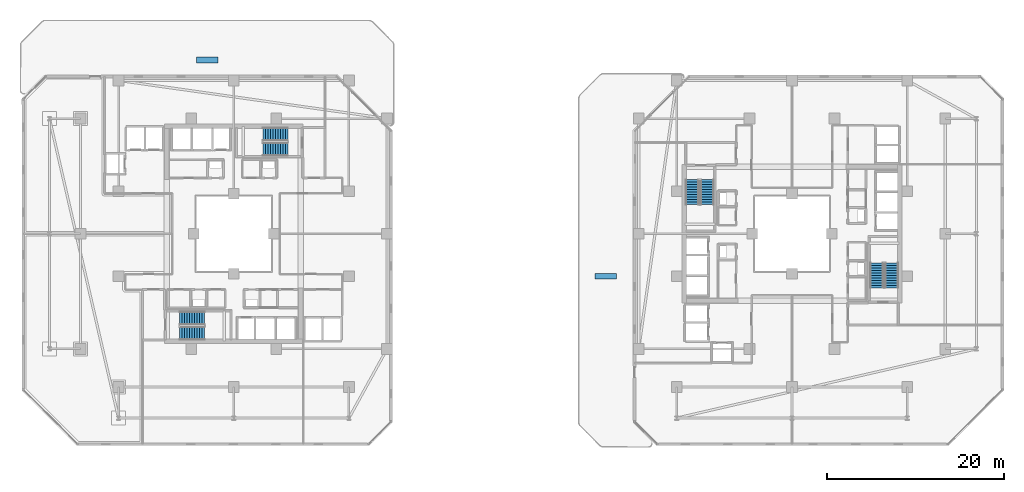
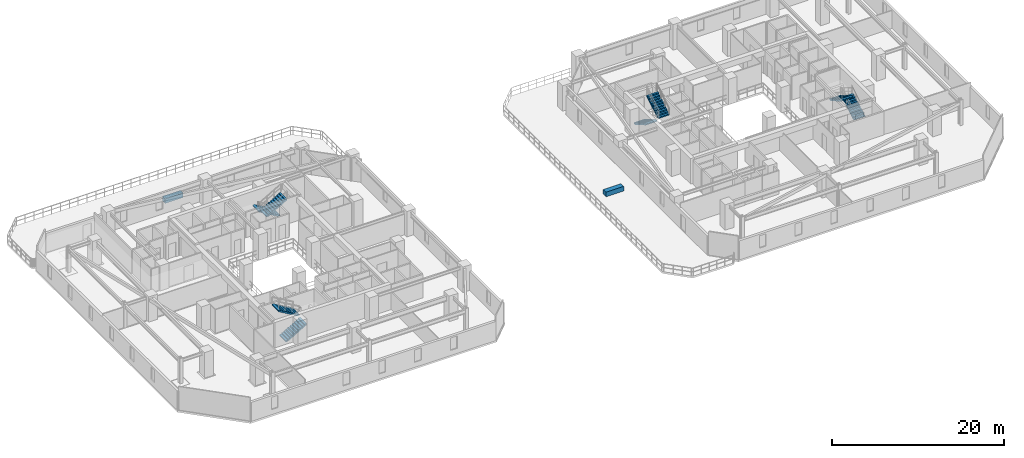
# One storey, part 26 of 31: 8 stair flights, 2 discrete accessories, 4 elements without a shape of their own.
"""IFC4 building model written with IfcOpenShell, lengths in metres."""

from ifc_helpers import new_model, si_unit, direction, frame, origin, origin_2d, place, context, subcontext, project, spatial, polyline, rectangle, outline, extrude, material, type_object, element, aggregate, save


model = new_model("IFC4")

# Units and contexts
model_context = context("Model", 3, precision=1e-05, world=origin(), true_north=direction((0.0, 1.0)))
body_context = subcontext(model_context, "Body", "Model", "MODEL_VIEW")
ifc_project = project(units=[si_unit("LENGTHUNIT", "METRE"), si_unit("AREAUNIT", "SQUARE_METRE"), si_unit("VOLUMEUNIT", "CUBIC_METRE"), si_unit("PLANEANGLEUNIT", "RADIAN"), si_unit("MASSUNIT", "GRAM", prefix="KILO")], contexts=[model_context])

# Site, building, storey
site_placement = place(None, origin())
site = spatial("IfcSite", under=ifc_project, at=site_placement, CompositionType="ELEMENT")
building_placement = place(site_placement, origin())
building = spatial("IfcBuilding", under=site, at=building_placement, Name="Thornwick Lancets Civic Towers", CompositionType="ELEMENT")
storey_placement = place(building_placement, frame((0.0, 0.0, 119.699951171875)))
storey = spatial("IfcBuildingStorey", under=building, at=storey_placement, Name="L31", CompositionType="ELEMENT", Elevation=119.699951171875)

# Stair, stair flights
ifc_material_1 = material(Name="Concrete C40/50", Category="concrete")
stair_type = type_object("IfcStairType", Name="STAIR_DL_3600", PredefinedType="HALF_TURN_STAIR", material=ifc_material_1)
stair_1_placement = place(storey_placement, origin())
stair_1 = element("IfcStair", 1, at=stair_1_placement, inside=storey, type_object=stair_type, Name="L31 Tower A South Exit Stair ST-A1", PredefinedType="HALF_TURN_STAIR")
stair_flight_type = type_object("IfcStairFlightType", Name="FLIGHT_3600", PredefinedType="STRAIGHT", material=ifc_material_1)
stair_flight_1_placement = place(storey_placement, frame((19.39990234375, 15.75, 0.0), z_axis=(0.0, 0.0, 1.0), x_axis=(1.0, 0.0, 0.0)))
stair_flight_1 = element("IfcStairFlight", 2, at=stair_flight_1_placement, type_object=stair_flight_type, Name="ST-A1 flight 1", NumberOfRisers=11, NumberOfTreads=10, PredefinedType="STRAIGHT", RiserHeight=0.163636364, TreadLength=0.28, context=body_context, shape_type="SweptSolid", body=[
    extrude(outline(polyline([(0.0, 0.0), (0.0, 0.16357421875), (0.280029296875, 0.16357421875), (0.280029296875, 0.327392578125), (0.56005859375, 0.327392578125), (0.56005859375, 0.490966796875), (0.840087890625, 0.490966796875), (0.840087890625, 0.654541015625), (1.1201171875, 0.654541015625), (1.1201171875, 0.818115234375), (1.39990234375, 0.818115234375), (1.39990234375, 0.98193359375), (1.679931640625, 0.98193359375), (1.679931640625, 1.1455078125), (1.9599609375, 1.1455078125), (1.9599609375, 1.30908203125), (2.239990234375, 1.30908203125), (2.239990234375, 1.47265625), (2.52001953125, 1.47265625), (2.52001953125, 1.636474609375), (2.800048828125, 1.636474609375), (2.800048828125, 1.800048828125), (2.800048828125, 1.462646484375), (0.297119140625, 0.0), (0.0, 0.0)])), frame((0.0, 0.75, 0.0), z_axis=(0.0, -1.0, 0.0), x_axis=(1.0, 0.0, 0.0)), (0.0, 0.0, 1.0), 1.5),
])
stair_flight_2_placement = place(storey_placement, frame((22.199951171875, 17.449951171875, 1.800048828125), z_axis=(0.0, 0.0, 1.0), x_axis=(-1.0, 0.0, 0.0)))
stair_flight_2 = element("IfcStairFlight", 3, at=stair_flight_2_placement, type_object=stair_flight_type, Name="ST-A1 flight 2", NumberOfRisers=11, NumberOfTreads=10, PredefinedType="STRAIGHT", RiserHeight=0.163636364, TreadLength=0.28, context=body_context, shape_type="SweptSolid", body=[
    extrude(outline(polyline([(0.0, 0.0), (0.0, 0.16357421875), (0.280029296875, 0.16357421875), (0.280029296875, 0.327392578125), (0.56005859375, 0.327392578125), (0.56005859375, 0.490966796875), (0.840087890625, 0.490966796875), (0.840087890625, 0.654541015625), (1.1201171875, 0.654541015625), (1.1201171875, 0.818115234375), (1.39990234375, 0.818115234375), (1.39990234375, 0.98193359375), (1.679931640625, 0.98193359375), (1.679931640625, 1.1455078125), (1.9599609375, 1.1455078125), (1.9599609375, 1.30908203125), (2.239990234375, 1.30908203125), (2.239990234375, 1.47265625), (2.52001953125, 1.47265625), (2.52001953125, 1.636474609375), (2.800048828125, 1.636474609375), (2.800048828125, 1.800048828125), (2.800048828125, 1.462646484375), (0.297119140625, 0.0), (0.0, 0.0)])), frame((0.0, 0.75, 0.0), z_axis=(0.0, -1.0, 0.0), x_axis=(1.0, 0.0, 0.0)), (0.0, 0.0, 1.0), 1.5),
])
aggregate(stair_1, [stair_flight_1, stair_flight_2])

stair_2_placement = place(storey_placement, origin())
stair_2 = element("IfcStair", 4, at=stair_2_placement, inside=storey, type_object=stair_type, Name="L31 Tower A North Exit Stair ST-A2", PredefinedType="HALF_TURN_STAIR")
stair_flight_3_placement = place(storey_placement, frame((31.60009765625, 38.25, 0.0), z_axis=(0.0, 0.0, 1.0), x_axis=(-1.0, 0.0, 0.0)))
stair_flight_3 = element("IfcStairFlight", 5, at=stair_flight_3_placement, type_object=stair_flight_type, Name="ST-A2 flight 1", NumberOfRisers=11, NumberOfTreads=10, PredefinedType="STRAIGHT", RiserHeight=0.163636364, TreadLength=0.28, context=body_context, shape_type="SweptSolid", body=[
    extrude(outline(polyline([(0.0, 0.0), (0.0, 0.16357421875), (0.280029296875, 0.16357421875), (0.280029296875, 0.327392578125), (0.56005859375, 0.327392578125), (0.56005859375, 0.490966796875), (0.840087890625, 0.490966796875), (0.840087890625, 0.654541015625), (1.1201171875, 0.654541015625), (1.1201171875, 0.818115234375), (1.39990234375, 0.818115234375), (1.39990234375, 0.98193359375), (1.679931640625, 0.98193359375), (1.679931640625, 1.1455078125), (1.9599609375, 1.1455078125), (1.9599609375, 1.30908203125), (2.239990234375, 1.30908203125), (2.239990234375, 1.47265625), (2.52001953125, 1.47265625), (2.52001953125, 1.636474609375), (2.800048828125, 1.636474609375), (2.800048828125, 1.800048828125), (2.800048828125, 1.462646484375), (0.297119140625, 0.0), (0.0, 0.0)])), frame((0.0, 0.75, 0.0), z_axis=(0.0, -1.0, 0.0), x_axis=(1.0, 0.0, 0.0)), (0.0, 0.0, 1.0), 1.5),
])
stair_flight_4_placement = place(storey_placement, frame((28.800048828125, 36.550048828125, 1.800048828125), z_axis=(0.0, 0.0, 1.0), x_axis=(1.0, 0.0, 0.0)))
stair_flight_4 = element("IfcStairFlight", 6, at=stair_flight_4_placement, type_object=stair_flight_type, Name="ST-A2 flight 2", NumberOfRisers=11, NumberOfTreads=10, PredefinedType="STRAIGHT", RiserHeight=0.163636364, TreadLength=0.28, context=body_context, shape_type="SweptSolid", body=[
    extrude(outline(polyline([(0.0, 0.0), (0.0, 0.16357421875), (0.280029296875, 0.16357421875), (0.280029296875, 0.327392578125), (0.56005859375, 0.327392578125), (0.56005859375, 0.490966796875), (0.840087890625, 0.490966796875), (0.840087890625, 0.654541015625), (1.1201171875, 0.654541015625), (1.1201171875, 0.818115234375), (1.39990234375, 0.818115234375), (1.39990234375, 0.98193359375), (1.679931640625, 0.98193359375), (1.679931640625, 1.1455078125), (1.9599609375, 1.1455078125), (1.9599609375, 1.30908203125), (2.239990234375, 1.30908203125), (2.239990234375, 1.47265625), (2.52001953125, 1.47265625), (2.52001953125, 1.636474609375), (2.800048828125, 1.636474609375), (2.800048828125, 1.800048828125), (2.800048828125, 1.462646484375), (0.297119140625, 0.0), (0.0, 0.0)])), frame((0.0, 0.75, 0.0), z_axis=(0.0, -1.0, 0.0), x_axis=(1.0, 0.0, 0.0)), (0.0, 0.0, 1.0), 1.5),
])
aggregate(stair_2, [stair_flight_3, stair_flight_4])

stair_3_placement = place(storey_placement, origin())
stair_3 = element("IfcStair", 7, at=stair_3_placement, inside=storey, type_object=stair_type, Name="L31 Tower B East Exit Stair ST-B1", PredefinedType="HALF_TURN_STAIR")
stair_flight_5_placement = place(storey_placement, frame((99.75, 20.89990234375, 0.0), z_axis=(0.0, 0.0, 1.0), x_axis=(0.0, 1.0, 0.0)))
stair_flight_5 = element("IfcStairFlight", 8, at=stair_flight_5_placement, type_object=stair_flight_type, Name="ST-B1 flight 1", NumberOfRisers=11, NumberOfTreads=10, PredefinedType="STRAIGHT", RiserHeight=0.163636364, TreadLength=0.28, context=body_context, shape_type="SweptSolid", body=[
    extrude(outline(polyline([(0.0, 0.0), (0.0, 0.16357421875), (0.280029296875, 0.16357421875), (0.280029296875, 0.327392578125), (0.56005859375, 0.327392578125), (0.56005859375, 0.490966796875), (0.840087890625, 0.490966796875), (0.840087890625, 0.654541015625), (1.1201171875, 0.654541015625), (1.1201171875, 0.818115234375), (1.39990234375, 0.818115234375), (1.39990234375, 0.98193359375), (1.679931640625, 0.98193359375), (1.679931640625, 1.1455078125), (1.9599609375, 1.1455078125), (1.9599609375, 1.30908203125), (2.239990234375, 1.30908203125), (2.239990234375, 1.47265625), (2.52001953125, 1.47265625), (2.52001953125, 1.636474609375), (2.800048828125, 1.636474609375), (2.800048828125, 1.800048828125), (2.800048828125, 1.462646484375), (0.297119140625, 0.0), (0.0, 0.0)])), frame((0.0, 0.75, 0.0), z_axis=(0.0, -1.0, 0.0), x_axis=(1.0, 0.0, 0.0)), (0.0, 0.0, 1.0), 1.5),
])
stair_flight_6_placement = place(storey_placement, frame((98.050048828125, 23.699951171875, 1.800048828125), z_axis=(0.0, 0.0, 1.0), x_axis=(0.0, -1.0, 0.0)))
stair_flight_6 = element("IfcStairFlight", 9, at=stair_flight_6_placement, type_object=stair_flight_type, Name="ST-B1 flight 2", NumberOfRisers=11, NumberOfTreads=10, PredefinedType="STRAIGHT", RiserHeight=0.163636364, TreadLength=0.28, context=body_context, shape_type="SweptSolid", body=[
    extrude(outline(polyline([(0.0, 0.0), (0.0, 0.16357421875), (0.280029296875, 0.16357421875), (0.280029296875, 0.327392578125), (0.56005859375, 0.327392578125), (0.56005859375, 0.490966796875), (0.840087890625, 0.490966796875), (0.840087890625, 0.654541015625), (1.1201171875, 0.654541015625), (1.1201171875, 0.818115234375), (1.39990234375, 0.818115234375), (1.39990234375, 0.98193359375), (1.679931640625, 0.98193359375), (1.679931640625, 1.1455078125), (1.9599609375, 1.1455078125), (1.9599609375, 1.30908203125), (2.239990234375, 1.30908203125), (2.239990234375, 1.47265625), (2.52001953125, 1.47265625), (2.52001953125, 1.636474609375), (2.800048828125, 1.636474609375), (2.800048828125, 1.800048828125), (2.800048828125, 1.462646484375), (0.297119140625, 0.0), (0.0, 0.0)])), frame((0.0, 0.75, 0.0), z_axis=(0.0, -1.0, 0.0), x_axis=(1.0, 0.0, 0.0)), (0.0, 0.0, 1.0), 1.5),
])
aggregate(stair_3, [stair_flight_5, stair_flight_6])

stair_4_placement = place(storey_placement, origin())
stair_4 = element("IfcStair", 10, at=stair_4_placement, inside=storey, type_object=stair_type, Name="L31 Tower B West Exit Stair ST-B2", PredefinedType="HALF_TURN_STAIR")
stair_flight_7_placement = place(storey_placement, frame((77.25, 33.10009765625, 0.0), z_axis=(0.0, 0.0, 1.0), x_axis=(0.0, -1.0, 0.0)))
stair_flight_7 = element("IfcStairFlight", 11, at=stair_flight_7_placement, type_object=stair_flight_type, Name="ST-B2 flight 1", NumberOfRisers=11, NumberOfTreads=10, PredefinedType="STRAIGHT", RiserHeight=0.163636364, TreadLength=0.28, context=body_context, shape_type="SweptSolid", body=[
    extrude(outline(polyline([(0.0, 0.0), (0.0, 0.16357421875), (0.280029296875, 0.16357421875), (0.280029296875, 0.327392578125), (0.56005859375, 0.327392578125), (0.56005859375, 0.490966796875), (0.840087890625, 0.490966796875), (0.840087890625, 0.654541015625), (1.1201171875, 0.654541015625), (1.1201171875, 0.818115234375), (1.39990234375, 0.818115234375), (1.39990234375, 0.98193359375), (1.679931640625, 0.98193359375), (1.679931640625, 1.1455078125), (1.9599609375, 1.1455078125), (1.9599609375, 1.30908203125), (2.239990234375, 1.30908203125), (2.239990234375, 1.47265625), (2.52001953125, 1.47265625), (2.52001953125, 1.636474609375), (2.800048828125, 1.636474609375), (2.800048828125, 1.800048828125), (2.800048828125, 1.462646484375), (0.297119140625, 0.0), (0.0, 0.0)])), frame((0.0, 0.75, 0.0), z_axis=(0.0, -1.0, 0.0), x_axis=(1.0, 0.0, 0.0)), (0.0, 0.0, 1.0), 1.5),
])
stair_flight_8_placement = place(storey_placement, frame((78.949951171875, 30.300048828125, 1.800048828125), z_axis=(0.0, 0.0, 1.0), x_axis=(0.0, 1.0, 0.0)))
stair_flight_8 = element("IfcStairFlight", 12, at=stair_flight_8_placement, type_object=stair_flight_type, Name="ST-B2 flight 2", NumberOfRisers=11, NumberOfTreads=10, PredefinedType="STRAIGHT", RiserHeight=0.163636364, TreadLength=0.28, context=body_context, shape_type="SweptSolid", body=[
    extrude(outline(polyline([(0.0, 0.0), (0.0, 0.16357421875), (0.280029296875, 0.16357421875), (0.280029296875, 0.327392578125), (0.56005859375, 0.327392578125), (0.56005859375, 0.490966796875), (0.840087890625, 0.490966796875), (0.840087890625, 0.654541015625), (1.1201171875, 0.654541015625), (1.1201171875, 0.818115234375), (1.39990234375, 0.818115234375), (1.39990234375, 0.98193359375), (1.679931640625, 0.98193359375), (1.679931640625, 1.1455078125), (1.9599609375, 1.1455078125), (1.9599609375, 1.30908203125), (2.239990234375, 1.30908203125), (2.239990234375, 1.47265625), (2.52001953125, 1.47265625), (2.52001953125, 1.636474609375), (2.800048828125, 1.636474609375), (2.800048828125, 1.800048828125), (2.800048828125, 1.462646484375), (0.297119140625, 0.0), (0.0, 0.0)])), frame((0.0, 0.75, 0.0), z_axis=(0.0, -1.0, 0.0), x_axis=(1.0, 0.0, 0.0)), (0.0, 0.0, 1.0), 1.5),
])
aggregate(stair_4, [stair_flight_7, stair_flight_8])

# Discrete accessories
ifc_material_2 = material(Name="Planted terracotta greenery planter", Category="masonry")
discrete_accessory_type = type_object("IfcDiscreteAccessoryType", Name="ACC_PLANTER_BOX", PredefinedType="USERDEFINED", material=ifc_material_2)
for number, where, z_axis, x_axis, name in (
    (13, (22.5, 46.61669921875, 0.0), (0.0, 0.0, 1.0), (1.0, 0.0, 0.0), "L31 Tower A Sky-Garden Planter 1"),
    (14, (67.489990234375, 22.19970703125, 0.0), (0.0, 0.0, 1.0), (1.0, 0.0, 0.0), "L31 Tower B Sky-Garden Planter 1"),
):
    element("IfcDiscreteAccessory", number, at=place(storey_placement, frame(where, z_axis=z_axis, x_axis=x_axis)), inside=storey, type_object=discrete_accessory_type, Name=name, ObjectType="PLANTER", PredefinedType="USERDEFINED", context=body_context, shape_type="SweptSolid", body=[
        extrude(rectangle(XDim=2.39990234375, YDim=0.64990234375, at=origin_2d()), origin(), (0.0, 0.0, 1.0), 0.64990234375),
    ])

save(model, "model.ifc")
